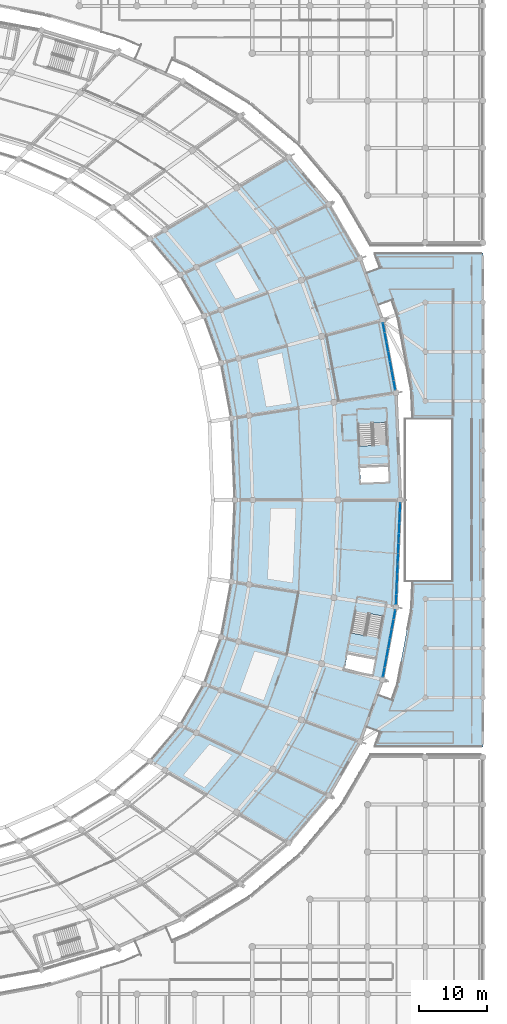
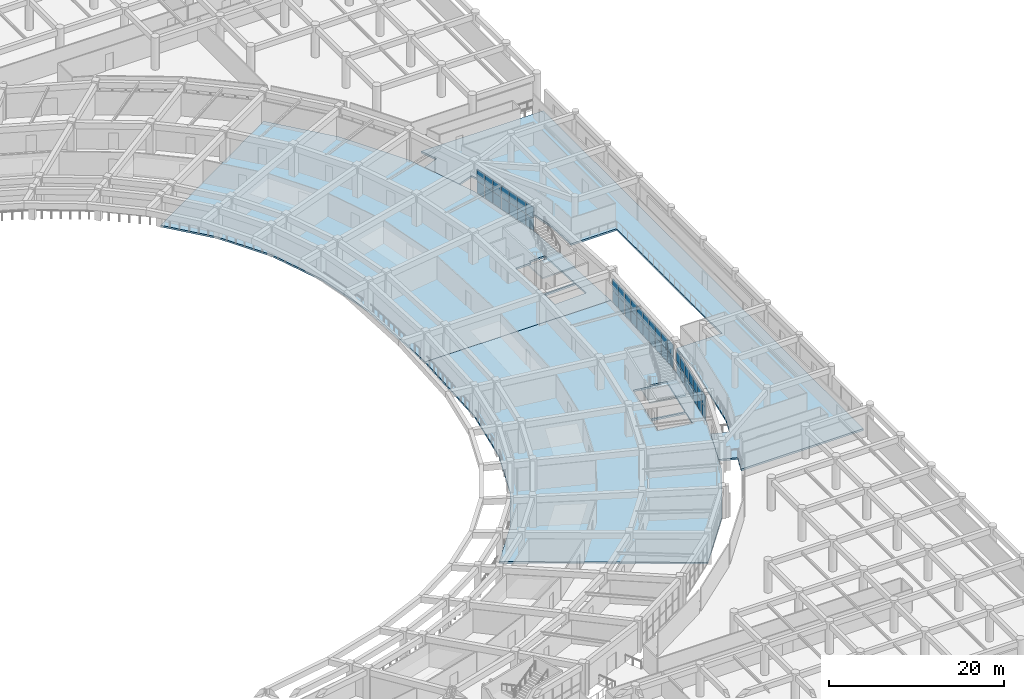
# One storey, part 84 of 145: 48 plates, 5 slabs, 5 elements without a shape of their own.
"""IFC4 building model written with IfcOpenShell, lengths in metres."""

from ifc_helpers import new_model, si_unit, direction, frame, origin, origin_2d, place, context, subcontext, project, spatial, polyline, rectangle, outline, extrude, material, layer, layer_set, type_object, element, aggregate, save


model = new_model("IFC4")

# Units and contexts
model_context = context("Model", 3, precision=1e-05, world=origin(), true_north=direction((0.0, 1.0)))
body_context = subcontext(model_context, "Body", "Model", "MODEL_VIEW")
ifc_project = project(units=[si_unit("LENGTHUNIT", "METRE"), si_unit("AREAUNIT", "SQUARE_METRE"), si_unit("VOLUMEUNIT", "CUBIC_METRE"), si_unit("PLANEANGLEUNIT", "RADIAN"), si_unit("MASSUNIT", "GRAM", prefix="KILO")], contexts=[model_context])

# Site, building, storey
site_placement = place(None, origin())
site = spatial("IfcSite", under=ifc_project, at=site_placement, CompositionType="ELEMENT")
building_placement = place(site_placement, origin())
building = spatial("IfcBuilding", under=site, at=building_placement, Name="Mphavela Belvedere Stadium", CompositionType="ELEMENT")
storey_placement = place(building_placement, frame((0.0, 0.0, 10.199951171875)))
storey = spatial("IfcBuildingStorey", under=building, at=storey_placement, Name="L02", CompositionType="ELEMENT", Elevation=10.199951171875)

# Curtain wall, plates
ifc_material_1 = material(Name="Anodised bronze unitised curtain wall framing")
ifc_layer_1 = layer(ifc_material_1, 0.179931640625)
ifc_layer_set_1 = layer_set([ifc_layer_1], Name="Anodised bronze unitised curtain wall framing")
curtain_wall_type_1 = type_object("IfcCurtainWallType", Name="CW-UNIT-01", PredefinedType="USERDEFINED", material=ifc_layer_set_1)
curtain_wall_1_placement = place(storey_placement, origin())
curtain_wall_1 = element("IfcCurtainWall", 1, at=curtain_wall_1_placement, inside=storey, type_object=curtain_wall_type_1, Name="Belvedere colonnade curtain wall L02-02", ObjectType="UNITISED CURTAIN WALL", PredefinedType="USERDEFINED")
ifc_material_2 = material(Name="Solar-control double glazing", Category="glass")
ifc_layer_2 = layer(ifc_material_2, 0.031982421875)
ifc_layer_set_2 = layer_set([ifc_layer_2], Name="Solar-control double glazing")
plate_type = type_object("IfcPlateType", Name="CWP-SOLAR-GLASS", PredefinedType="CURTAIN_PANEL", material=ifc_layer_set_2)
plate_1_placement = place(storey_placement, frame((216.947998046875, 103.9619140625, 0.06005859375), z_axis=(0.0, 0.0, 1.0), x_axis=(-0.182625402503, 0.983182568174, 0.0)))
plate_1 = element("IfcPlate", 2, at=plate_1_placement, type_object=plate_type, Name="CW-01 panel 1.1", PredefinedType="CURTAIN_PANEL", context=body_context, shape_type="SweptSolid", body=[
    extrude(rectangle(XDim=1.345947265625, YDim=0.031982421875, at=origin_2d()), origin(), (0.0, 0.0, 1.0), 1.6201171875),
])
plate_2_placement = place(storey_placement, frame((216.947998046875, 103.9619140625, 1.739990234375), z_axis=(0.0, 0.0, 1.0), x_axis=(-0.182625402503, 0.983182568174, 0.0)))
plate_2 = element("IfcPlate", 3, at=plate_2_placement, type_object=plate_type, Name="CW-01 panel 1.2", PredefinedType="CURTAIN_PANEL", context=body_context, shape_type="SweptSolid", body=[
    extrude(rectangle(XDim=1.345947265625, YDim=0.031982421875, at=origin_2d()), origin(), (0.0, 0.0, 1.0), 1.6201171875),
])
plate_3_placement = place(storey_placement, frame((216.687255859375, 105.365234375, 0.06005859375), z_axis=(0.0, 0.0, 1.0), x_axis=(-0.182625402503, 0.983182568174, 0.0)))
plate_3 = element("IfcPlate", 4, at=plate_3_placement, type_object=plate_type, Name="CW-01 panel 2.1", PredefinedType="CURTAIN_PANEL", context=body_context, shape_type="SweptSolid", body=[
    extrude(rectangle(XDim=1.378662109375, YDim=0.031982421875, at=origin_2d()), origin(), (0.0, 0.0, 1.0), 1.6201171875),
])
plate_4_placement = place(storey_placement, frame((216.687255859375, 105.365234375, 1.739990234375), z_axis=(0.0, 0.0, 1.0), x_axis=(-0.182625402503, 0.983182568174, 0.0)))
plate_4 = element("IfcPlate", 5, at=plate_4_placement, type_object=plate_type, Name="CW-01 panel 2.2", PredefinedType="CURTAIN_PANEL", context=body_context, shape_type="SweptSolid", body=[
    extrude(rectangle(XDim=1.378662109375, YDim=0.031982421875, at=origin_2d()), origin(), (0.0, 0.0, 1.0), 1.6201171875),
])
plate_5_placement = place(storey_placement, frame((216.423583984375, 106.784423828125, 0.06005859375), z_axis=(0.0, 0.0, 1.0), x_axis=(-0.182625402503, 0.983182568174, 0.0)))
plate_5 = element("IfcPlate", 6, at=plate_5_placement, type_object=plate_type, Name="CW-01 panel 3.1", PredefinedType="CURTAIN_PANEL", context=body_context, shape_type="SweptSolid", body=[
    extrude(rectangle(XDim=1.378662109375, YDim=0.031982421875, at=origin_2d()), origin(), (0.0, 0.0, 1.0), 1.6201171875),
])
plate_6_placement = place(storey_placement, frame((216.423583984375, 106.784423828125, 1.739990234375), z_axis=(0.0, 0.0, 1.0), x_axis=(-0.182625402503, 0.983182568174, 0.0)))
plate_6 = element("IfcPlate", 7, at=plate_6_placement, type_object=plate_type, Name="CW-01 panel 3.2", PredefinedType="CURTAIN_PANEL", context=body_context, shape_type="SweptSolid", body=[
    extrude(rectangle(XDim=1.378662109375, YDim=0.031982421875, at=origin_2d()), origin(), (0.0, 0.0, 1.0), 1.6201171875),
])
plate_7_placement = place(storey_placement, frame((216.159912109375, 108.203857421875, 0.06005859375), z_axis=(0.0, 0.0, 1.0), x_axis=(-0.182625402503, 0.983182568174, 0.0)))
plate_7 = element("IfcPlate", 8, at=plate_7_placement, type_object=plate_type, Name="CW-01 panel 4.1", PredefinedType="CURTAIN_PANEL", context=body_context, shape_type="SweptSolid", body=[
    extrude(rectangle(XDim=1.378662109375, YDim=0.031982421875, at=origin_2d()), origin(), (0.0, 0.0, 1.0), 1.6201171875),
])
plate_8_placement = place(storey_placement, frame((216.159912109375, 108.203857421875, 1.739990234375), z_axis=(0.0, 0.0, 1.0), x_axis=(-0.182625402503, 0.983182568174, 0.0)))
plate_8 = element("IfcPlate", 9, at=plate_8_placement, type_object=plate_type, Name="CW-01 panel 4.2", PredefinedType="CURTAIN_PANEL", context=body_context, shape_type="SweptSolid", body=[
    extrude(rectangle(XDim=1.378662109375, YDim=0.031982421875, at=origin_2d()), origin(), (0.0, 0.0, 1.0), 1.6201171875),
])
plate_9_placement = place(storey_placement, frame((215.896484375, 109.623046875, 0.06005859375), z_axis=(0.0, 0.0, 1.0), x_axis=(-0.182625402503, 0.983182568174, 0.0)))
plate_9 = element("IfcPlate", 10, at=plate_9_placement, type_object=plate_type, Name="CW-01 panel 5.1", PredefinedType="CURTAIN_PANEL", context=body_context, shape_type="SweptSolid", body=[
    extrude(rectangle(XDim=1.378662109375, YDim=0.031982421875, at=origin_2d()), origin(), (0.0, 0.0, 1.0), 1.6201171875),
])
plate_10_placement = place(storey_placement, frame((215.896484375, 109.623046875, 1.739990234375), z_axis=(0.0, 0.0, 1.0), x_axis=(-0.182625402503, 0.983182568174, 0.0)))
plate_10 = element("IfcPlate", 11, at=plate_10_placement, type_object=plate_type, Name="CW-01 panel 5.2", PredefinedType="CURTAIN_PANEL", context=body_context, shape_type="SweptSolid", body=[
    extrude(rectangle(XDim=1.378662109375, YDim=0.031982421875, at=origin_2d()), origin(), (0.0, 0.0, 1.0), 1.6201171875),
])
plate_11_placement = place(storey_placement, frame((215.6328125, 111.042236328125, 0.06005859375), z_axis=(0.0, 0.0, 1.0), x_axis=(-0.182625402503, 0.983182568174, 0.0)))
plate_11 = element("IfcPlate", 12, at=plate_11_placement, type_object=plate_type, Name="CW-01 panel 6.1", PredefinedType="CURTAIN_PANEL", context=body_context, shape_type="SweptSolid", body=[
    extrude(rectangle(XDim=1.378662109375, YDim=0.031982421875, at=origin_2d()), origin(), (0.0, 0.0, 1.0), 1.6201171875),
])
plate_12_placement = place(storey_placement, frame((215.6328125, 111.042236328125, 1.739990234375), z_axis=(0.0, 0.0, 1.0), x_axis=(-0.182625402503, 0.983182568174, 0.0)))
plate_12 = element("IfcPlate", 13, at=plate_12_placement, type_object=plate_type, Name="CW-01 panel 6.2", PredefinedType="CURTAIN_PANEL", context=body_context, shape_type="SweptSolid", body=[
    extrude(rectangle(XDim=1.378662109375, YDim=0.031982421875, at=origin_2d()), origin(), (0.0, 0.0, 1.0), 1.6201171875),
])
plate_13_placement = place(storey_placement, frame((215.3720703125, 112.445556640625, 0.06005859375), z_axis=(0.0, 0.0, 1.0), x_axis=(-0.182625402503, 0.983182568174, 0.0)))
plate_13 = element("IfcPlate", 14, at=plate_13_placement, type_object=plate_type, Name="CW-01 panel 7.1", PredefinedType="CURTAIN_PANEL", context=body_context, shape_type="SweptSolid", body=[
    extrude(rectangle(XDim=1.345947265625, YDim=0.031982421875, at=origin_2d()), origin(), (0.0, 0.0, 1.0), 1.6201171875),
])
plate_14_placement = place(storey_placement, frame((215.3720703125, 112.445556640625, 1.739990234375), z_axis=(0.0, 0.0, 1.0), x_axis=(-0.182625402503, 0.983182568174, 0.0)))
plate_14 = element("IfcPlate", 15, at=plate_14_placement, type_object=plate_type, Name="CW-01 panel 7.2", PredefinedType="CURTAIN_PANEL", context=body_context, shape_type="SweptSolid", body=[
    extrude(rectangle(XDim=1.345947265625, YDim=0.031982421875, at=origin_2d()), origin(), (0.0, 0.0, 1.0), 1.6201171875),
])
aggregate(curtain_wall_1, [plate_1, plate_2, plate_3, plate_4, plate_5, plate_6, plate_7, plate_8, plate_9, plate_10, plate_11, plate_12, plate_13, plate_14])

ifc_material_3 = material(Name="Anodised bronze unitised curtain wall framing")
ifc_layer_3 = layer(ifc_material_3, 0.199951171875)
ifc_layer_set_3 = layer_set([ifc_layer_3], Name="Anodised bronze unitised curtain wall framing")
curtain_wall_type_2 = type_object("IfcCurtainWallType", Name="CW-UNIT-05", PredefinedType="USERDEFINED", material=ifc_layer_set_3)
curtain_wall_2_placement = place(storey_placement, origin())
curtain_wall_2 = element("IfcCurtainWall", 16, at=curtain_wall_2_placement, inside=storey, type_object=curtain_wall_type_2, Name="Belvedere colonnade curtain wall L02-47", ObjectType="UNITISED CURTAIN WALL", PredefinedType="USERDEFINED")
plate_15_placement = place(storey_placement, frame((215.3720703125, 61.554443359375, 0.06005859375), z_axis=(0.0, 0.0, 1.0), x_axis=(0.182625402503, 0.983182568174, 0.0)))
plate_15 = element("IfcPlate", 17, at=plate_15_placement, type_object=plate_type, Name="CW-05 panel 1.1", PredefinedType="CURTAIN_PANEL", context=body_context, shape_type="SweptSolid", body=[
    extrude(rectangle(XDim=1.345947265625, YDim=0.031982421875, at=origin_2d()), origin(), (0.0, 0.0, 1.0), 1.6201171875),
])
plate_16_placement = place(storey_placement, frame((215.3720703125, 61.554443359375, 1.739990234375), z_axis=(0.0, 0.0, 1.0), x_axis=(0.182625402503, 0.983182568174, 0.0)))
plate_16 = element("IfcPlate", 18, at=plate_16_placement, type_object=plate_type, Name="CW-05 panel 1.2", PredefinedType="CURTAIN_PANEL", context=body_context, shape_type="SweptSolid", body=[
    extrude(rectangle(XDim=1.345947265625, YDim=0.031982421875, at=origin_2d()), origin(), (0.0, 0.0, 1.0), 1.6201171875),
])
plate_17_placement = place(storey_placement, frame((215.6328125, 62.957763671875, 0.06005859375), z_axis=(0.0, 0.0, 1.0), x_axis=(0.182625402503, 0.983182568174, 0.0)))
plate_17 = element("IfcPlate", 19, at=plate_17_placement, type_object=plate_type, Name="CW-05 panel 2.1", PredefinedType="CURTAIN_PANEL", context=body_context, shape_type="SweptSolid", body=[
    extrude(rectangle(XDim=1.378662109375, YDim=0.031982421875, at=origin_2d()), origin(), (0.0, 0.0, 1.0), 1.6201171875),
])
plate_18_placement = place(storey_placement, frame((215.6328125, 62.957763671875, 1.739990234375), z_axis=(0.0, 0.0, 1.0), x_axis=(0.182625402503, 0.983182568174, 0.0)))
plate_18 = element("IfcPlate", 20, at=plate_18_placement, type_object=plate_type, Name="CW-05 panel 2.2", PredefinedType="CURTAIN_PANEL", context=body_context, shape_type="SweptSolid", body=[
    extrude(rectangle(XDim=1.378662109375, YDim=0.031982421875, at=origin_2d()), origin(), (0.0, 0.0, 1.0), 1.6201171875),
])
plate_19_placement = place(storey_placement, frame((215.896484375, 64.376953125, 0.06005859375), z_axis=(0.0, 0.0, 1.0), x_axis=(0.182625402503, 0.983182568174, 0.0)))
plate_19 = element("IfcPlate", 21, at=plate_19_placement, type_object=plate_type, Name="CW-05 panel 3.1", PredefinedType="CURTAIN_PANEL", context=body_context, shape_type="SweptSolid", body=[
    extrude(rectangle(XDim=1.378662109375, YDim=0.031982421875, at=origin_2d()), origin(), (0.0, 0.0, 1.0), 1.6201171875),
])
plate_20_placement = place(storey_placement, frame((215.896484375, 64.376953125, 1.739990234375), z_axis=(0.0, 0.0, 1.0), x_axis=(0.182625402503, 0.983182568174, 0.0)))
plate_20 = element("IfcPlate", 22, at=plate_20_placement, type_object=plate_type, Name="CW-05 panel 3.2", PredefinedType="CURTAIN_PANEL", context=body_context, shape_type="SweptSolid", body=[
    extrude(rectangle(XDim=1.378662109375, YDim=0.031982421875, at=origin_2d()), origin(), (0.0, 0.0, 1.0), 1.6201171875),
])
plate_21_placement = place(storey_placement, frame((216.159912109375, 65.796142578125, 0.06005859375), z_axis=(0.0, 0.0, 1.0), x_axis=(0.182625402503, 0.983182568174, 0.0)))
plate_21 = element("IfcPlate", 23, at=plate_21_placement, type_object=plate_type, Name="CW-05 panel 4.1", PredefinedType="CURTAIN_PANEL", context=body_context, shape_type="SweptSolid", body=[
    extrude(rectangle(XDim=1.378662109375, YDim=0.031982421875, at=origin_2d()), origin(), (0.0, 0.0, 1.0), 1.6201171875),
])
plate_22_placement = place(storey_placement, frame((216.159912109375, 65.796142578125, 1.739990234375), z_axis=(0.0, 0.0, 1.0), x_axis=(0.182625402503, 0.983182568174, 0.0)))
plate_22 = element("IfcPlate", 24, at=plate_22_placement, type_object=plate_type, Name="CW-05 panel 4.2", PredefinedType="CURTAIN_PANEL", context=body_context, shape_type="SweptSolid", body=[
    extrude(rectangle(XDim=1.378662109375, YDim=0.031982421875, at=origin_2d()), origin(), (0.0, 0.0, 1.0), 1.6201171875),
])
plate_23_placement = place(storey_placement, frame((216.423583984375, 67.215576171875, 0.06005859375), z_axis=(0.0, 0.0, 1.0), x_axis=(0.182625402503, 0.983182568174, 0.0)))
plate_23 = element("IfcPlate", 25, at=plate_23_placement, type_object=plate_type, Name="CW-05 panel 5.1", PredefinedType="CURTAIN_PANEL", context=body_context, shape_type="SweptSolid", body=[
    extrude(rectangle(XDim=1.378662109375, YDim=0.031982421875, at=origin_2d()), origin(), (0.0, 0.0, 1.0), 1.6201171875),
])
plate_24_placement = place(storey_placement, frame((216.423583984375, 67.215576171875, 1.739990234375), z_axis=(0.0, 0.0, 1.0), x_axis=(0.182625402503, 0.983182568174, 0.0)))
plate_24 = element("IfcPlate", 26, at=plate_24_placement, type_object=plate_type, Name="CW-05 panel 5.2", PredefinedType="CURTAIN_PANEL", context=body_context, shape_type="SweptSolid", body=[
    extrude(rectangle(XDim=1.378662109375, YDim=0.031982421875, at=origin_2d()), origin(), (0.0, 0.0, 1.0), 1.6201171875),
])
plate_25_placement = place(storey_placement, frame((216.687255859375, 68.634765625, 0.06005859375), z_axis=(0.0, 0.0, 1.0), x_axis=(0.182625402503, 0.983182568174, 0.0)))
plate_25 = element("IfcPlate", 27, at=plate_25_placement, type_object=plate_type, Name="CW-05 panel 6.1", PredefinedType="CURTAIN_PANEL", context=body_context, shape_type="SweptSolid", body=[
    extrude(rectangle(XDim=1.378662109375, YDim=0.031982421875, at=origin_2d()), origin(), (0.0, 0.0, 1.0), 1.6201171875),
])
plate_26_placement = place(storey_placement, frame((216.687255859375, 68.634765625, 1.739990234375), z_axis=(0.0, 0.0, 1.0), x_axis=(0.182625402503, 0.983182568174, 0.0)))
plate_26 = element("IfcPlate", 28, at=plate_26_placement, type_object=plate_type, Name="CW-05 panel 6.2", PredefinedType="CURTAIN_PANEL", context=body_context, shape_type="SweptSolid", body=[
    extrude(rectangle(XDim=1.378662109375, YDim=0.031982421875, at=origin_2d()), origin(), (0.0, 0.0, 1.0), 1.6201171875),
])
plate_27_placement = place(storey_placement, frame((216.947998046875, 70.0380859375, 0.06005859375), z_axis=(0.0, 0.0, 1.0), x_axis=(0.182625402503, 0.983182568174, 0.0)))
plate_27 = element("IfcPlate", 29, at=plate_27_placement, type_object=plate_type, Name="CW-05 panel 7.1", PredefinedType="CURTAIN_PANEL", context=body_context, shape_type="SweptSolid", body=[
    extrude(rectangle(XDim=1.345947265625, YDim=0.031982421875, at=origin_2d()), origin(), (0.0, 0.0, 1.0), 1.6201171875),
])
plate_28_placement = place(storey_placement, frame((216.947998046875, 70.0380859375, 1.739990234375), z_axis=(0.0, 0.0, 1.0), x_axis=(0.182625402503, 0.983182568174, 0.0)))
plate_28 = element("IfcPlate", 30, at=plate_28_placement, type_object=plate_type, Name="CW-05 panel 7.2", PredefinedType="CURTAIN_PANEL", context=body_context, shape_type="SweptSolid", body=[
    extrude(rectangle(XDim=1.345947265625, YDim=0.031982421875, at=origin_2d()), origin(), (0.0, 0.0, 1.0), 1.6201171875),
])
aggregate(curtain_wall_2, [plate_15, plate_16, plate_17, plate_18, plate_19, plate_20, plate_21, plate_22, plate_23, plate_24, plate_25, plate_26, plate_27, plate_28])

ifc_material_4 = material(Name="Anodised bronze unitised curtain wall framing")
ifc_layer_4 = layer(ifc_material_4, 0.205078125)
ifc_layer_set_4 = layer_set([ifc_layer_4], Name="Anodised bronze unitised curtain wall framing")
curtain_wall_type_3 = type_object("IfcCurtainWallType", Name="CW-UNIT-06", PredefinedType="USERDEFINED", material=ifc_layer_set_4)
curtain_wall_3_placement = place(storey_placement, origin())
curtain_wall_3 = element("IfcCurtainWall", 31, at=curtain_wall_3_placement, inside=storey, type_object=curtain_wall_type_3, Name="Belvedere colonnade curtain wall L02-48", ObjectType="UNITISED CURTAIN WALL", PredefinedType="USERDEFINED")
plate_29_placement = place(storey_placement, frame((217.204345703125, 72.321533203125, 0.06005859375), z_axis=(0.0, 0.0, 1.0), x_axis=(0.04190447371, 0.999121621767, 0.0)))
plate_29 = element("IfcPlate", 32, at=plate_29_placement, type_object=plate_type, Name="CW-06 panel 1.1", PredefinedType="CURTAIN_PANEL", context=body_context, shape_type="SweptSolid", body=[
    extrude(rectangle(XDim=1.40869140625, YDim=0.031982421875, at=origin_2d()), origin(), (0.0, 0.0, 1.0), 1.6201171875),
])
plate_30_placement = place(storey_placement, frame((217.204345703125, 72.321533203125, 1.739990234375), z_axis=(0.0, 0.0, 1.0), x_axis=(0.04190447371, 0.999121621767, 0.0)))
plate_30 = element("IfcPlate", 33, at=plate_30_placement, type_object=plate_type, Name="CW-06 panel 1.2", PredefinedType="CURTAIN_PANEL", context=body_context, shape_type="SweptSolid", body=[
    extrude(rectangle(XDim=1.40869140625, YDim=0.031982421875, at=origin_2d()), origin(), (0.0, 0.0, 1.0), 1.6201171875),
])
plate_31_placement = place(storey_placement, frame((217.266845703125, 73.81005859375, 0.06005859375), z_axis=(0.0, 0.0, 1.0), x_axis=(0.04190447371, 0.999121621767, 0.0)))
plate_31 = element("IfcPlate", 34, at=plate_31_placement, type_object=plate_type, Name="CW-06 panel 2.1", PredefinedType="CURTAIN_PANEL", context=body_context, shape_type="SweptSolid", body=[
    extrude(rectangle(XDim=1.441162109375, YDim=0.031982421875, at=origin_2d()), origin(), (0.0, 0.0, 1.0), 1.6201171875),
])
plate_32_placement = place(storey_placement, frame((217.266845703125, 73.81005859375, 1.739990234375), z_axis=(0.0, 0.0, 1.0), x_axis=(0.04190447371, 0.999121621767, 0.0)))
plate_32 = element("IfcPlate", 35, at=plate_32_placement, type_object=plate_type, Name="CW-06 panel 2.2", PredefinedType="CURTAIN_PANEL", context=body_context, shape_type="SweptSolid", body=[
    extrude(rectangle(XDim=1.441162109375, YDim=0.031982421875, at=origin_2d()), origin(), (0.0, 0.0, 1.0), 1.6201171875),
])
plate_33_placement = place(storey_placement, frame((217.329833984375, 75.315185546875, 0.06005859375), z_axis=(0.0, 0.0, 1.0), x_axis=(0.04190447371, 0.999121621767, 0.0)))
plate_33 = element("IfcPlate", 36, at=plate_33_placement, type_object=plate_type, Name="CW-06 panel 3.1", PredefinedType="CURTAIN_PANEL", context=body_context, shape_type="SweptSolid", body=[
    extrude(rectangle(XDim=1.441162109375, YDim=0.031982421875, at=origin_2d()), origin(), (0.0, 0.0, 1.0), 1.6201171875),
])
plate_34_placement = place(storey_placement, frame((217.329833984375, 75.315185546875, 1.739990234375), z_axis=(0.0, 0.0, 1.0), x_axis=(0.04190447371, 0.999121621767, 0.0)))
plate_34 = element("IfcPlate", 37, at=plate_34_placement, type_object=plate_type, Name="CW-06 panel 3.2", PredefinedType="CURTAIN_PANEL", context=body_context, shape_type="SweptSolid", body=[
    extrude(rectangle(XDim=1.441162109375, YDim=0.031982421875, at=origin_2d()), origin(), (0.0, 0.0, 1.0), 1.6201171875),
])
plate_35_placement = place(storey_placement, frame((217.39306640625, 76.820068359375, 0.06005859375), z_axis=(0.0, 0.0, 1.0), x_axis=(0.04190447371, 0.999121621767, 0.0)))
plate_35 = element("IfcPlate", 38, at=plate_35_placement, type_object=plate_type, Name="CW-06 panel 4.1", PredefinedType="CURTAIN_PANEL", context=body_context, shape_type="SweptSolid", body=[
    extrude(rectangle(XDim=1.441162109375, YDim=0.031982421875, at=origin_2d()), origin(), (0.0, 0.0, 1.0), 1.6201171875),
])
plate_36_placement = place(storey_placement, frame((217.39306640625, 76.820068359375, 1.739990234375), z_axis=(0.0, 0.0, 1.0), x_axis=(0.04190447371, 0.999121621767, 0.0)))
plate_36 = element("IfcPlate", 39, at=plate_36_placement, type_object=plate_type, Name="CW-06 panel 4.2", PredefinedType="CURTAIN_PANEL", context=body_context, shape_type="SweptSolid", body=[
    extrude(rectangle(XDim=1.441162109375, YDim=0.031982421875, at=origin_2d()), origin(), (0.0, 0.0, 1.0), 1.6201171875),
])
plate_37_placement = place(storey_placement, frame((217.4560546875, 78.324951171875, 0.06005859375), z_axis=(0.0, 0.0, 1.0), x_axis=(0.04190447371, 0.999121621767, 0.0)))
plate_37 = element("IfcPlate", 40, at=plate_37_placement, type_object=plate_type, Name="CW-06 panel 5.1", PredefinedType="CURTAIN_PANEL", context=body_context, shape_type="SweptSolid", body=[
    extrude(rectangle(XDim=1.441162109375, YDim=0.031982421875, at=origin_2d()), origin(), (0.0, 0.0, 1.0), 1.6201171875),
])
plate_38_placement = place(storey_placement, frame((217.4560546875, 78.324951171875, 1.739990234375), z_axis=(0.0, 0.0, 1.0), x_axis=(0.04190447371, 0.999121621767, 0.0)))
plate_38 = element("IfcPlate", 41, at=plate_38_placement, type_object=plate_type, Name="CW-06 panel 5.2", PredefinedType="CURTAIN_PANEL", context=body_context, shape_type="SweptSolid", body=[
    extrude(rectangle(XDim=1.441162109375, YDim=0.031982421875, at=origin_2d()), origin(), (0.0, 0.0, 1.0), 1.6201171875),
])
plate_39_placement = place(storey_placement, frame((217.519287109375, 79.830078125, 0.06005859375), z_axis=(0.0, 0.0, 1.0), x_axis=(0.04190447371, 0.999121621767, 0.0)))
plate_39 = element("IfcPlate", 42, at=plate_39_placement, type_object=plate_type, Name="CW-06 panel 6.1", PredefinedType="CURTAIN_PANEL", context=body_context, shape_type="SweptSolid", body=[
    extrude(rectangle(XDim=1.441162109375, YDim=0.031982421875, at=origin_2d()), origin(), (0.0, 0.0, 1.0), 1.6201171875),
])
plate_40_placement = place(storey_placement, frame((217.519287109375, 79.830078125, 1.739990234375), z_axis=(0.0, 0.0, 1.0), x_axis=(0.04190447371, 0.999121621767, 0.0)))
plate_40 = element("IfcPlate", 43, at=plate_40_placement, type_object=plate_type, Name="CW-06 panel 6.2", PredefinedType="CURTAIN_PANEL", context=body_context, shape_type="SweptSolid", body=[
    extrude(rectangle(XDim=1.441162109375, YDim=0.031982421875, at=origin_2d()), origin(), (0.0, 0.0, 1.0), 1.6201171875),
])
plate_41_placement = place(storey_placement, frame((217.582275390625, 81.3349609375, 0.06005859375), z_axis=(0.0, 0.0, 1.0), x_axis=(0.04190447371, 0.999121621767, 0.0)))
plate_41 = element("IfcPlate", 44, at=plate_41_placement, type_object=plate_type, Name="CW-06 panel 7.1", PredefinedType="CURTAIN_PANEL", context=body_context, shape_type="SweptSolid", body=[
    extrude(rectangle(XDim=1.441162109375, YDim=0.031982421875, at=origin_2d()), origin(), (0.0, 0.0, 1.0), 1.6201171875),
])
plate_42_placement = place(storey_placement, frame((217.582275390625, 81.3349609375, 1.739990234375), z_axis=(0.0, 0.0, 1.0), x_axis=(0.04190447371, 0.999121621767, 0.0)))
plate_42 = element("IfcPlate", 45, at=plate_42_placement, type_object=plate_type, Name="CW-06 panel 7.2", PredefinedType="CURTAIN_PANEL", context=body_context, shape_type="SweptSolid", body=[
    extrude(rectangle(XDim=1.441162109375, YDim=0.031982421875, at=origin_2d()), origin(), (0.0, 0.0, 1.0), 1.6201171875),
])
plate_43_placement = place(storey_placement, frame((217.6455078125, 82.83984375, 0.06005859375), z_axis=(0.0, 0.0, 1.0), x_axis=(0.04190447371, 0.999121621767, 0.0)))
plate_43 = element("IfcPlate", 46, at=plate_43_placement, type_object=plate_type, Name="CW-06 panel 8.1", PredefinedType="CURTAIN_PANEL", context=body_context, shape_type="SweptSolid", body=[
    extrude(rectangle(XDim=1.441162109375, YDim=0.031982421875, at=origin_2d()), origin(), (0.0, 0.0, 1.0), 1.6201171875),
])
plate_44_placement = place(storey_placement, frame((217.6455078125, 82.83984375, 1.739990234375), z_axis=(0.0, 0.0, 1.0), x_axis=(0.04190447371, 0.999121621767, 0.0)))
plate_44 = element("IfcPlate", 47, at=plate_44_placement, type_object=plate_type, Name="CW-06 panel 8.2", PredefinedType="CURTAIN_PANEL", context=body_context, shape_type="SweptSolid", body=[
    extrude(rectangle(XDim=1.441162109375, YDim=0.031982421875, at=origin_2d()), origin(), (0.0, 0.0, 1.0), 1.6201171875),
])
plate_45_placement = place(storey_placement, frame((217.708740234375, 84.344970703125, 0.06005859375), z_axis=(0.0, 0.0, 1.0), x_axis=(0.04190447371, 0.999121621767, 0.0)))
plate_45 = element("IfcPlate", 48, at=plate_45_placement, type_object=plate_type, Name="CW-06 panel 9.1", PredefinedType="CURTAIN_PANEL", context=body_context, shape_type="SweptSolid", body=[
    extrude(rectangle(XDim=1.441162109375, YDim=0.031982421875, at=origin_2d()), origin(), (0.0, 0.0, 1.0), 1.6201171875),
])
plate_46_placement = place(storey_placement, frame((217.708740234375, 84.344970703125, 1.739990234375), z_axis=(0.0, 0.0, 1.0), x_axis=(0.04190447371, 0.999121621767, 0.0)))
plate_46 = element("IfcPlate", 49, at=plate_46_placement, type_object=plate_type, Name="CW-06 panel 9.2", PredefinedType="CURTAIN_PANEL", context=body_context, shape_type="SweptSolid", body=[
    extrude(rectangle(XDim=1.441162109375, YDim=0.031982421875, at=origin_2d()), origin(), (0.0, 0.0, 1.0), 1.6201171875),
])
plate_47_placement = place(storey_placement, frame((217.77099609375, 85.83349609375, 0.06005859375), z_axis=(0.0, 0.0, 1.0), x_axis=(0.04190447371, 0.999121621767, 0.0)))
plate_47 = element("IfcPlate", 50, at=plate_47_placement, type_object=plate_type, Name="CW-06 panel 10.1", PredefinedType="CURTAIN_PANEL", context=body_context, shape_type="SweptSolid", body=[
    extrude(rectangle(XDim=1.40869140625, YDim=0.031982421875, at=origin_2d()), origin(), (0.0, 0.0, 1.0), 1.6201171875),
])
plate_48_placement = place(storey_placement, frame((217.77099609375, 85.83349609375, 1.739990234375), z_axis=(0.0, 0.0, 1.0), x_axis=(0.04190447371, 0.999121621767, 0.0)))
plate_48 = element("IfcPlate", 51, at=plate_48_placement, type_object=plate_type, Name="CW-06 panel 10.2", PredefinedType="CURTAIN_PANEL", context=body_context, shape_type="SweptSolid", body=[
    extrude(rectangle(XDim=1.40869140625, YDim=0.031982421875, at=origin_2d()), origin(), (0.0, 0.0, 1.0), 1.6201171875),
])
aggregate(curtain_wall_3, [plate_29, plate_30, plate_31, plate_32, plate_33, plate_34, plate_35, plate_36, plate_37, plate_38, plate_39, plate_40, plate_41, plate_42, plate_43, plate_44, plate_45, plate_46, plate_47, plate_48])

# Slabs
ifc_material_5 = material(Name="Concrete C40/50", Category="concrete")
ifc_layer_5 = layer(ifc_material_5, 0.25)
ifc_layer_set_5 = layer_set([ifc_layer_5], Name="Concrete C40/50")
slab_type_1 = type_object("IfcSlabType", Name="SLB-CONCOURSE-250", PredefinedType="FLOOR", material=ifc_layer_set_5)
slab_1_placement = place(storey_placement, frame((0.0, 0.0, -0.25)))
element("IfcSlab", 52, at=slab_1_placement, inside=storey, type_object=slab_type_1, Name="Concourse sector slab L02-S1:1", PredefinedType="FLOOR", context=body_context, shape_type="SweptSolid", body=[
    extrude(outline(polyline([(207.242431640625, 130.66162109375), (211.856201171875, 122.682373046875), (215.16455078125, 113.5625), (217.155517578125, 102.844970703125), (217.820068359375, 87.0), (193.3759765625, 87.0), (192.869384765625, 99.078125), (191.351806640625, 107.24755859375), (188.829833984375, 114.19921875), (185.31298828125, 120.281494140625), (180.8125, 125.611328125), (201.33837890625, 137.653564453125), (207.242431640625, 130.66162109375)]), holes=[polyline([(216.014892578125, 92.157958984375), (215.751220703125, 98.448486328125), (213.657958984375, 98.360595703125), (213.672119140625, 98.02490234375), (211.578857421875, 97.937255859375), (211.82861328125, 91.982421875), (216.014892578125, 92.157958984375)]), polyline([(216.11865234375, 89.68017578125), (216.02392578125, 91.938232421875), (211.837646484375, 91.7626953125), (211.932373046875, 89.504638671875), (216.11865234375, 89.68017578125)])]), origin(), (0.0, 0.0, 1.0), 0.25),
])
slab_2_placement = place(storey_placement, frame((0.0, 0.0, -0.25)))
element("IfcSlab", 53, at=slab_2_placement, inside=storey, type_object=slab_type_1, Name="Concourse sector slab L02-S8:2", PredefinedType="FLOOR", context=body_context, shape_type="SweptSolid", body=[
    extrude(outline(polyline([(192.869384765625, 74.921875), (193.3759765625, 87.0), (217.820068359375, 87.0), (217.155517578125, 71.155029296875), (215.16455078125, 60.4375), (211.856201171875, 51.317626953125), (207.242431640625, 43.33837890625), (201.33837890625, 36.346435546875), (180.8125, 48.388671875), (185.31298828125, 53.718505859375), (188.829833984375, 59.80078125), (191.351806640625, 66.75244140625), (192.869384765625, 74.921875)]), holes=[polyline([(214.12451171875, 63.646728515625), (215.27392578125, 69.8369140625), (213.214111328125, 70.219482421875), (213.15283203125, 69.88916015625), (211.093017578125, 70.271484375), (210.0048828125, 64.41162109375), (214.12451171875, 63.646728515625)]), polyline([(213.671875, 61.20849609375), (214.08447265625, 63.430419921875), (209.96484375, 64.1953125), (209.55224609375, 61.973388671875), (213.671875, 61.20849609375)])]), origin(), (0.0, 0.0, 1.0), 0.25),
])

# Stair, slab
ifc_material_6 = material(Name="Concrete C40/50", Category="concrete")
stair_type_1 = type_object("IfcStairType", Name="STR-HALF-TURN-1", PredefinedType="HALF_TURN_STAIR", material=ifc_material_6)
stair_1_placement = place(storey_placement, origin())
stair_1 = element("IfcStair", 54, at=stair_1_placement, inside=storey, type_object=stair_type_1, Name="L02 Escape stair core C01", PredefinedType="HALF_TURN_STAIR")
ifc_material_7 = material(Name="Concrete C40/50", Category="concrete")
ifc_layer_6 = layer(ifc_material_7, 0.199951171875)
ifc_layer_set_6 = layer_set([ifc_layer_6], Name="Concrete C40/50")
slab_type_2 = type_object("IfcSlabType", Name="SLB-LANDING-200", PredefinedType="LANDING", material=ifc_layer_set_6)
slab_3_placement = place(storey_placement, frame((0.0, 0.0, 2.050048828125)))
slab_3 = element("IfcSlab", 55, at=slab_3_placement, type_object=slab_type_2, Name="ST-C01 landing 1", PredefinedType="LANDING", context=body_context, shape_type="SweptSolid", body=[
    extrude(outline(polyline([(211.583740234375, 94.9580078125), (211.70849609375, 91.9775390625), (216.134765625, 92.1630859375), (215.994873046875, 95.498046875), (213.781982421875, 95.4052734375), (213.796875, 95.050537109375), (211.583740234375, 94.9580078125)])), origin(), (0.0, 0.0, 1.0), 0.199951171875),
])
aggregate(stair_1, [slab_3])

ifc_material_8 = material(Name="Concrete C40/50", Category="concrete")
stair_type_2 = type_object("IfcStairType", Name="STR-HALF-TURN-3", PredefinedType="HALF_TURN_STAIR", material=ifc_material_8)
stair_2_placement = place(storey_placement, origin())
stair_2 = element("IfcStair", 56, at=stair_2_placement, inside=storey, type_object=stair_type_2, Name="L02 Escape stair core C12", PredefinedType="HALF_TURN_STAIR")
slab_4_placement = place(storey_placement, frame((0.0, 0.0, 2.050048828125)))
slab_4 = element("IfcSlab", 57, at=slab_4_placement, type_object=slab_type_2, Name="ST-C12 landing 1", PredefinedType="LANDING", context=body_context, shape_type="SweptSolid", body=[
    extrude(outline(polyline([(210.431640625, 67.366455078125), (209.886962890625, 64.43359375), (214.242431640625, 63.624755859375), (214.851806640625, 66.90673828125), (212.67431640625, 67.31103515625), (212.609375, 66.962158203125), (210.431640625, 67.366455078125)])), origin(), (0.0, 0.0, 1.0), 0.199951171875),
])
aggregate(stair_2, [slab_4])

# Slab
ifc_material_9 = material(Name="Concrete C40/50", Category="concrete")
ifc_layer_7 = layer(ifc_material_9, 0.260009765625)
ifc_layer_set_7 = layer_set([ifc_layer_7], Name="Concrete C40/50")
slab_type_3 = type_object("IfcSlabType", Name="SLB-PAVILION-260", PredefinedType="FLOOR", material=ifc_layer_set_7)
slab_5_placement = place(storey_placement, frame((0.0, 0.0, -0.260009765625)))
element("IfcSlab", 58, at=slab_5_placement, inside=storey, type_object=slab_type_3, Name="East Planted Eaves Peristyle Colonnade floor slab L02-1", PredefinedType="FLOOR", context=body_context, shape_type="SweptSolid", body=[
    extrude(outline(polyline([(214.69189453125, 52.68310546875), (212.623779296875, 53.43359375), (214.39697265625, 58.32177734375), (216.465087890625, 57.571533203125), (217.232666015625, 59.687255859375), (217.287353515625, 59.859619140625), (217.32763671875, 60.03564453125), (219.318359375, 70.753173828125), (219.353515625, 71.062744140625), (219.5185546875, 75.0), (225.5, 75.0), (225.5, 99.0), (219.5185546875, 99.0), (219.353515625, 102.937255859375), (219.318359375, 103.246826171875), (217.32763671875, 113.96435546875), (217.287353515625, 114.140380859375), (217.232666015625, 114.312744140625), (216.465087890625, 116.428466796875), (214.39697265625, 115.67822265625), (212.623779296875, 120.56640625), (214.69189453125, 121.31689453125), (213.896240234375, 123.5), (230.0, 123.5), (230.0, 50.5), (213.896240234375, 50.5), (214.69189453125, 52.68310546875)])), origin(), (0.0, 0.0, 1.0), 0.260009765625),
])

save(model, "model.ifc")
